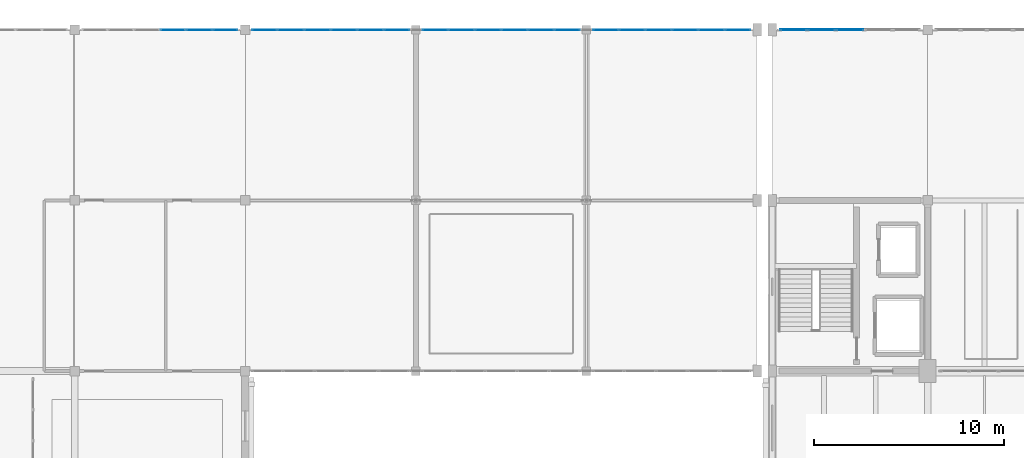
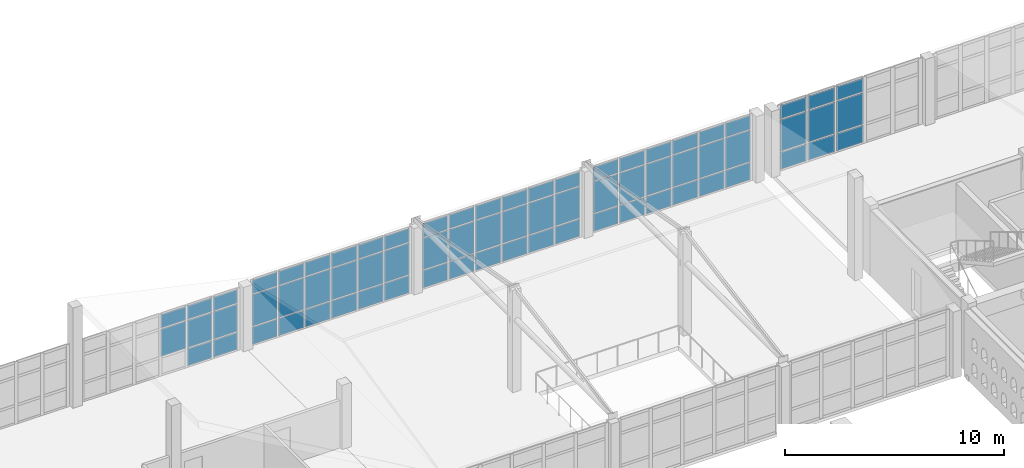
# One storey, part 114 of 156: 71 plates, 5 elements without a shape of their own.
"""IFC4 building model written with IfcOpenShell, lengths in metres."""

from ifc_helpers import new_model, si_unit, direction, frame, origin, origin_2d, place, context, subcontext, project, spatial, rectangle, extrude, material, layer, layer_set, type_object, element, aggregate, save


model = new_model("IFC4")

# Units and contexts
model_context = context("Model", 3, precision=1e-05, world=origin(), true_north=direction((0.0, 1.0)))
body_context = subcontext(model_context, "Body", "Model", "MODEL_VIEW")
ifc_project = project(units=[si_unit("LENGTHUNIT", "METRE"), si_unit("AREAUNIT", "SQUARE_METRE"), si_unit("VOLUMEUNIT", "CUBIC_METRE"), si_unit("PLANEANGLEUNIT", "RADIAN"), si_unit("MASSUNIT", "GRAM", prefix="KILO")], contexts=[model_context])

# Site, building, storey
site_placement = place(None, origin())
site = spatial("IfcSite", under=ifc_project, at=site_placement, CompositionType="ELEMENT")
building_placement = place(site_placement, origin())
building = spatial("IfcBuilding", under=site, at=building_placement, Name="Ornek Quay Market", CompositionType="ELEMENT")
storey_placement = place(building_placement, frame((0.0, 0.0, 4.5)))
storey = spatial("IfcBuildingStorey", under=building, at=storey_placement, Name="L01", CompositionType="ELEMENT", Elevation=4.5)

# Curtain wall, plates
ifc_material_1 = material(Name="Anodised bronze aluminium and triple low-e glass", Category="aluminium")
ifc_layer_1 = layer(ifc_material_1, 0.179931640625, Name="Anodised bronze aluminium and triple low-e glass", Category="aluminium")
ifc_layer_set_1 = layer_set([ifc_layer_1], Name="Anodised bronze aluminium and triple low-e glass")
curtain_wall_type_1 = type_object("IfcCurtainWallType", Name="CW-CONC-MOD1500", PredefinedType="USERDEFINED", material=ifc_layer_set_1)
curtain_wall_1_placement = place(storey_placement, origin())
curtain_wall_1 = element("IfcCurtainWall", 1, at=curtain_wall_1_placement, inside=storey, type_object=curtain_wall_type_1, Name="Curtain wall CW-004", ObjectType="CURTAIN WALL", PredefinedType="USERDEFINED")
ifc_material_2 = material(Name="Triple insulated low-e glass", Category="glass")
ifc_layer_2 = layer(ifc_material_2, 0.035888671875, Name="Triple insulated low-e glass", Category="glass")
ifc_layer_set_2 = layer_set([ifc_layer_2], Name="Triple insulated low-e glass")
plate_type_1 = type_object("IfcPlateType", Name="PL-CW-TRIPLE-36", PredefinedType="CURTAIN_PANEL", material=ifc_layer_set_2)
plate_1_placement = place(storey_placement, frame((23.191650390625, 110.0, 1.08251953125), z_axis=(0.0, 0.0, 1.0), x_axis=(1.0, 0.0, 0.0)))
plate_1 = element("IfcPlate", 2, at=plate_1_placement, type_object=plate_type_1, Name="CW-004 panel 4.2", PredefinedType="CURTAIN_PANEL", context=body_context, shape_type="SweptSolid", body=[
    extrude(rectangle(XDim=1.318359375, YDim=0.035888671875, at=origin_2d()), origin(), (0.0, 0.0, 1.0), 1.514892578125),
])
plate_2_placement = place(storey_placement, frame((23.191650390625, 110.0, 2.66259765625), z_axis=(0.0, 0.0, 1.0), x_axis=(1.0, 0.0, 0.0)))
plate_2 = element("IfcPlate", 3, at=plate_2_placement, type_object=plate_type_1, Name="CW-004 panel 4.3", PredefinedType="CURTAIN_PANEL", context=body_context, shape_type="SweptSolid", body=[
    extrude(rectangle(XDim=1.318359375, YDim=0.035888671875, at=origin_2d()), origin(), (0.0, 0.0, 1.0), 0.75244140625),
])
plate_3_placement = place(storey_placement, frame((24.574951171875, 110.0, 0.06494140625), z_axis=(0.0, 0.0, 1.0), x_axis=(1.0, 0.0, 0.0)))
plate_3 = element("IfcPlate", 4, at=plate_3_placement, type_object=plate_type_1, Name="CW-004 panel 5.1", PredefinedType="CURTAIN_PANEL", context=body_context, shape_type="SweptSolid", body=[
    extrude(rectangle(XDim=1.318359375, YDim=0.035888671875, at=origin_2d()), origin(), (0.0, 0.0, 1.0), 0.952392578125),
])
plate_4_placement = place(storey_placement, frame((24.574951171875, 110.0, 1.08251953125), z_axis=(0.0, 0.0, 1.0), x_axis=(1.0, 0.0, 0.0)))
plate_4 = element("IfcPlate", 5, at=plate_4_placement, type_object=plate_type_1, Name="CW-004 panel 5.2", PredefinedType="CURTAIN_PANEL", context=body_context, shape_type="SweptSolid", body=[
    extrude(rectangle(XDim=1.318359375, YDim=0.035888671875, at=origin_2d()), origin(), (0.0, 0.0, 1.0), 1.514892578125),
])
plate_5_placement = place(storey_placement, frame((24.574951171875, 110.0, 2.66259765625), z_axis=(0.0, 0.0, 1.0), x_axis=(1.0, 0.0, 0.0)))
plate_5 = element("IfcPlate", 6, at=plate_5_placement, type_object=plate_type_1, Name="CW-004 panel 5.3", PredefinedType="CURTAIN_PANEL", context=body_context, shape_type="SweptSolid", body=[
    extrude(rectangle(XDim=1.318359375, YDim=0.035888671875, at=origin_2d()), origin(), (0.0, 0.0, 1.0), 0.75244140625),
])
plate_6_placement = place(storey_placement, frame((25.942138671875, 110.0, 0.06494140625), z_axis=(0.0, 0.0, 1.0), x_axis=(1.0, 0.0, 0.0)))
plate_6 = element("IfcPlate", 7, at=plate_6_placement, type_object=plate_type_1, Name="CW-004 panel 6.1", PredefinedType="CURTAIN_PANEL", context=body_context, shape_type="SweptSolid", body=[
    extrude(rectangle(XDim=1.285888671875, YDim=0.035888671875, at=origin_2d()), origin(), (0.0, 0.0, 1.0), 0.952392578125),
])
plate_7_placement = place(storey_placement, frame((25.942138671875, 110.0, 1.08251953125), z_axis=(0.0, 0.0, 1.0), x_axis=(1.0, 0.0, 0.0)))
plate_7 = element("IfcPlate", 8, at=plate_7_placement, type_object=plate_type_1, Name="CW-004 panel 6.2", PredefinedType="CURTAIN_PANEL", context=body_context, shape_type="SweptSolid", body=[
    extrude(rectangle(XDim=1.285888671875, YDim=0.035888671875, at=origin_2d()), origin(), (0.0, 0.0, 1.0), 1.514892578125),
])
plate_8_placement = place(storey_placement, frame((25.942138671875, 110.0, 2.66259765625), z_axis=(0.0, 0.0, 1.0), x_axis=(1.0, 0.0, 0.0)))
plate_8 = element("IfcPlate", 9, at=plate_8_placement, type_object=plate_type_1, Name="CW-004 panel 6.3", PredefinedType="CURTAIN_PANEL", context=body_context, shape_type="SweptSolid", body=[
    extrude(rectangle(XDim=1.285888671875, YDim=0.035888671875, at=origin_2d()), origin(), (0.0, 0.0, 1.0), 0.75244140625),
])
aggregate(curtain_wall_1, [plate_1, plate_2, plate_3, plate_4, plate_5, plate_6, plate_7, plate_8])

curtain_wall_2_placement = place(storey_placement, origin())
curtain_wall_2 = element("IfcCurtainWall", 10, at=curtain_wall_2_placement, inside=storey, type_object=curtain_wall_type_1, Name="Curtain wall CW-013", ObjectType="CURTAIN WALL", PredefinedType="USERDEFINED")
plate_9_placement = place(storey_placement, frame((28.014892578125, 110.0, 0.06005859375), z_axis=(0.0, 0.0, 1.0), x_axis=(1.0, 0.0, 0.0)))
plate_9 = element("IfcPlate", 11, at=plate_9_placement, type_object=plate_type_1, Name="CW-013 panel 1.1", PredefinedType="CURTAIN_PANEL", context=body_context, shape_type="SweptSolid", body=[
    extrude(rectangle(XDim=1.31005859375, YDim=0.035888671875, at=origin_2d()), origin(), (0.0, 0.0, 1.0), 0.9599609375),
])
plate_10_placement = place(storey_placement, frame((28.014892578125, 110.0, 1.080078125), z_axis=(0.0, 0.0, 1.0), x_axis=(1.0, 0.0, 0.0)))
plate_10 = element("IfcPlate", 12, at=plate_10_placement, type_object=plate_type_1, Name="CW-013 panel 1.2", PredefinedType="CURTAIN_PANEL", context=body_context, shape_type="SweptSolid", body=[
    extrude(rectangle(XDim=1.31005859375, YDim=0.035888671875, at=origin_2d()), origin(), (0.0, 0.0, 1.0), 1.75),
])
plate_11_placement = place(storey_placement, frame((28.014892578125, 110.0, 2.89013671875), z_axis=(0.0, 0.0, 1.0), x_axis=(1.0, 0.0, 0.0)))
plate_11 = element("IfcPlate", 13, at=plate_11_placement, type_object=plate_type_1, Name="CW-013 panel 1.3", PredefinedType="CURTAIN_PANEL", context=body_context, shape_type="SweptSolid", body=[
    extrude(rectangle(XDim=1.31005859375, YDim=0.035888671875, at=origin_2d()), origin(), (0.0, 0.0, 1.0), 0.760009765625),
])
plate_12_placement = place(storey_placement, frame((29.39990234375, 110.0, 0.06005859375), z_axis=(0.0, 0.0, 1.0), x_axis=(1.0, 0.0, 0.0)))
plate_12 = element("IfcPlate", 14, at=plate_12_placement, type_object=plate_type_1, Name="CW-013 panel 2.1", PredefinedType="CURTAIN_PANEL", context=body_context, shape_type="SweptSolid", body=[
    extrude(rectangle(XDim=1.340087890625, YDim=0.035888671875, at=origin_2d()), origin(), (0.0, 0.0, 1.0), 0.9599609375),
])
plate_13_placement = place(storey_placement, frame((29.39990234375, 110.0, 1.080078125), z_axis=(0.0, 0.0, 1.0), x_axis=(1.0, 0.0, 0.0)))
plate_13 = element("IfcPlate", 15, at=plate_13_placement, type_object=plate_type_1, Name="CW-013 panel 2.2", PredefinedType="CURTAIN_PANEL", context=body_context, shape_type="SweptSolid", body=[
    extrude(rectangle(XDim=1.340087890625, YDim=0.035888671875, at=origin_2d()), origin(), (0.0, 0.0, 1.0), 1.75),
])
plate_14_placement = place(storey_placement, frame((29.39990234375, 110.0, 2.89013671875), z_axis=(0.0, 0.0, 1.0), x_axis=(1.0, 0.0, 0.0)))
plate_14 = element("IfcPlate", 16, at=plate_14_placement, type_object=plate_type_1, Name="CW-013 panel 2.3", PredefinedType="CURTAIN_PANEL", context=body_context, shape_type="SweptSolid", body=[
    extrude(rectangle(XDim=1.340087890625, YDim=0.035888671875, at=origin_2d()), origin(), (0.0, 0.0, 1.0), 0.760009765625),
])
plate_15_placement = place(storey_placement, frame((30.800048828125, 110.0, 0.06005859375), z_axis=(0.0, 0.0, 1.0), x_axis=(1.0, 0.0, 0.0)))
plate_15 = element("IfcPlate", 17, at=plate_15_placement, type_object=plate_type_1, Name="CW-013 panel 3.1", PredefinedType="CURTAIN_PANEL", context=body_context, shape_type="SweptSolid", body=[
    extrude(rectangle(XDim=1.340087890625, YDim=0.035888671875, at=origin_2d()), origin(), (0.0, 0.0, 1.0), 0.9599609375),
])
plate_16_placement = place(storey_placement, frame((30.800048828125, 110.0, 1.080078125), z_axis=(0.0, 0.0, 1.0), x_axis=(1.0, 0.0, 0.0)))
plate_16 = element("IfcPlate", 18, at=plate_16_placement, type_object=plate_type_1, Name="CW-013 panel 3.2", PredefinedType="CURTAIN_PANEL", context=body_context, shape_type="SweptSolid", body=[
    extrude(rectangle(XDim=1.340087890625, YDim=0.035888671875, at=origin_2d()), origin(), (0.0, 0.0, 1.0), 1.75),
])
plate_17_placement = place(storey_placement, frame((30.800048828125, 110.0, 2.89013671875), z_axis=(0.0, 0.0, 1.0), x_axis=(1.0, 0.0, 0.0)))
plate_17 = element("IfcPlate", 19, at=plate_17_placement, type_object=plate_type_1, Name="CW-013 panel 3.3", PredefinedType="CURTAIN_PANEL", context=body_context, shape_type="SweptSolid", body=[
    extrude(rectangle(XDim=1.340087890625, YDim=0.035888671875, at=origin_2d()), origin(), (0.0, 0.0, 1.0), 0.760009765625),
])
plate_18_placement = place(storey_placement, frame((32.199951171875, 110.0, 0.06005859375), z_axis=(0.0, 0.0, 1.0), x_axis=(1.0, 0.0, 0.0)))
plate_18 = element("IfcPlate", 20, at=plate_18_placement, type_object=plate_type_1, Name="CW-013 panel 4.1", PredefinedType="CURTAIN_PANEL", context=body_context, shape_type="SweptSolid", body=[
    extrude(rectangle(XDim=1.340087890625, YDim=0.035888671875, at=origin_2d()), origin(), (0.0, 0.0, 1.0), 0.9599609375),
])
plate_19_placement = place(storey_placement, frame((32.199951171875, 110.0, 1.080078125), z_axis=(0.0, 0.0, 1.0), x_axis=(1.0, 0.0, 0.0)))
plate_19 = element("IfcPlate", 21, at=plate_19_placement, type_object=plate_type_1, Name="CW-013 panel 4.2", PredefinedType="CURTAIN_PANEL", context=body_context, shape_type="SweptSolid", body=[
    extrude(rectangle(XDim=1.340087890625, YDim=0.035888671875, at=origin_2d()), origin(), (0.0, 0.0, 1.0), 1.75),
])
plate_20_placement = place(storey_placement, frame((32.199951171875, 110.0, 2.89013671875), z_axis=(0.0, 0.0, 1.0), x_axis=(1.0, 0.0, 0.0)))
plate_20 = element("IfcPlate", 22, at=plate_20_placement, type_object=plate_type_1, Name="CW-013 panel 4.3", PredefinedType="CURTAIN_PANEL", context=body_context, shape_type="SweptSolid", body=[
    extrude(rectangle(XDim=1.340087890625, YDim=0.035888671875, at=origin_2d()), origin(), (0.0, 0.0, 1.0), 0.760009765625),
])
plate_21_placement = place(storey_placement, frame((33.60009765625, 110.0, 0.06005859375), z_axis=(0.0, 0.0, 1.0), x_axis=(1.0, 0.0, 0.0)))
plate_21 = element("IfcPlate", 23, at=plate_21_placement, type_object=plate_type_1, Name="CW-013 panel 5.1", PredefinedType="CURTAIN_PANEL", context=body_context, shape_type="SweptSolid", body=[
    extrude(rectangle(XDim=1.340087890625, YDim=0.035888671875, at=origin_2d()), origin(), (0.0, 0.0, 1.0), 0.9599609375),
])
plate_22_placement = place(storey_placement, frame((33.60009765625, 110.0, 1.080078125), z_axis=(0.0, 0.0, 1.0), x_axis=(1.0, 0.0, 0.0)))
plate_22 = element("IfcPlate", 24, at=plate_22_placement, type_object=plate_type_1, Name="CW-013 panel 5.2", PredefinedType="CURTAIN_PANEL", context=body_context, shape_type="SweptSolid", body=[
    extrude(rectangle(XDim=1.340087890625, YDim=0.035888671875, at=origin_2d()), origin(), (0.0, 0.0, 1.0), 1.75),
])
plate_23_placement = place(storey_placement, frame((33.60009765625, 110.0, 2.89013671875), z_axis=(0.0, 0.0, 1.0), x_axis=(1.0, 0.0, 0.0)))
plate_23 = element("IfcPlate", 25, at=plate_23_placement, type_object=plate_type_1, Name="CW-013 panel 5.3", PredefinedType="CURTAIN_PANEL", context=body_context, shape_type="SweptSolid", body=[
    extrude(rectangle(XDim=1.340087890625, YDim=0.035888671875, at=origin_2d()), origin(), (0.0, 0.0, 1.0), 0.760009765625),
])
plate_24_placement = place(storey_placement, frame((34.985107421875, 110.0, 0.06005859375), z_axis=(0.0, 0.0, 1.0), x_axis=(1.0, 0.0, 0.0)))
plate_24 = element("IfcPlate", 26, at=plate_24_placement, type_object=plate_type_1, Name="CW-013 panel 6.1", PredefinedType="CURTAIN_PANEL", context=body_context, shape_type="SweptSolid", body=[
    extrude(rectangle(XDim=1.31005859375, YDim=0.035888671875, at=origin_2d()), origin(), (0.0, 0.0, 1.0), 0.9599609375),
])
plate_25_placement = place(storey_placement, frame((34.985107421875, 110.0, 1.080078125), z_axis=(0.0, 0.0, 1.0), x_axis=(1.0, 0.0, 0.0)))
plate_25 = element("IfcPlate", 27, at=plate_25_placement, type_object=plate_type_1, Name="CW-013 panel 6.2", PredefinedType="CURTAIN_PANEL", context=body_context, shape_type="SweptSolid", body=[
    extrude(rectangle(XDim=1.31005859375, YDim=0.035888671875, at=origin_2d()), origin(), (0.0, 0.0, 1.0), 1.75),
])
plate_26_placement = place(storey_placement, frame((34.985107421875, 110.0, 2.89013671875), z_axis=(0.0, 0.0, 1.0), x_axis=(1.0, 0.0, 0.0)))
plate_26 = element("IfcPlate", 28, at=plate_26_placement, type_object=plate_type_1, Name="CW-013 panel 6.3", PredefinedType="CURTAIN_PANEL", context=body_context, shape_type="SweptSolid", body=[
    extrude(rectangle(XDim=1.31005859375, YDim=0.035888671875, at=origin_2d()), origin(), (0.0, 0.0, 1.0), 0.760009765625),
])
aggregate(curtain_wall_2, [plate_9, plate_10, plate_11, plate_12, plate_13, plate_14, plate_15, plate_16, plate_17, plate_18, plate_19, plate_20, plate_21, plate_22, plate_23, plate_24, plate_25, plate_26])

curtain_wall_3_placement = place(storey_placement, origin())
curtain_wall_3 = element("IfcCurtainWall", 29, at=curtain_wall_3_placement, inside=storey, type_object=curtain_wall_type_1, Name="Curtain wall CW-017", ObjectType="CURTAIN WALL", PredefinedType="USERDEFINED")
plate_27_placement = place(storey_placement, frame((37.014892578125, 110.0, 0.06005859375), z_axis=(0.0, 0.0, 1.0), x_axis=(1.0, 0.0, 0.0)))
plate_27 = element("IfcPlate", 30, at=plate_27_placement, type_object=plate_type_1, Name="CW-017 panel 1.1", PredefinedType="CURTAIN_PANEL", context=body_context, shape_type="SweptSolid", body=[
    extrude(rectangle(XDim=1.31005859375, YDim=0.035888671875, at=origin_2d()), origin(), (0.0, 0.0, 1.0), 0.9599609375),
])
plate_28_placement = place(storey_placement, frame((37.014892578125, 110.0, 1.080078125), z_axis=(0.0, 0.0, 1.0), x_axis=(1.0, 0.0, 0.0)))
plate_28 = element("IfcPlate", 31, at=plate_28_placement, type_object=plate_type_1, Name="CW-017 panel 1.2", PredefinedType="CURTAIN_PANEL", context=body_context, shape_type="SweptSolid", body=[
    extrude(rectangle(XDim=1.31005859375, YDim=0.035888671875, at=origin_2d()), origin(), (0.0, 0.0, 1.0), 1.75),
])
plate_29_placement = place(storey_placement, frame((37.014892578125, 110.0, 2.89013671875), z_axis=(0.0, 0.0, 1.0), x_axis=(1.0, 0.0, 0.0)))
plate_29 = element("IfcPlate", 32, at=plate_29_placement, type_object=plate_type_1, Name="CW-017 panel 1.3", PredefinedType="CURTAIN_PANEL", context=body_context, shape_type="SweptSolid", body=[
    extrude(rectangle(XDim=1.31005859375, YDim=0.035888671875, at=origin_2d()), origin(), (0.0, 0.0, 1.0), 0.760009765625),
])
plate_30_placement = place(storey_placement, frame((38.39990234375, 110.0, 0.06005859375), z_axis=(0.0, 0.0, 1.0), x_axis=(1.0, 0.0, 0.0)))
plate_30 = element("IfcPlate", 33, at=plate_30_placement, type_object=plate_type_1, Name="CW-017 panel 2.1", PredefinedType="CURTAIN_PANEL", context=body_context, shape_type="SweptSolid", body=[
    extrude(rectangle(XDim=1.340087890625, YDim=0.035888671875, at=origin_2d()), origin(), (0.0, 0.0, 1.0), 0.9599609375),
])
plate_31_placement = place(storey_placement, frame((38.39990234375, 110.0, 1.080078125), z_axis=(0.0, 0.0, 1.0), x_axis=(1.0, 0.0, 0.0)))
plate_31 = element("IfcPlate", 34, at=plate_31_placement, type_object=plate_type_1, Name="CW-017 panel 2.2", PredefinedType="CURTAIN_PANEL", context=body_context, shape_type="SweptSolid", body=[
    extrude(rectangle(XDim=1.340087890625, YDim=0.035888671875, at=origin_2d()), origin(), (0.0, 0.0, 1.0), 1.75),
])
plate_32_placement = place(storey_placement, frame((38.39990234375, 110.0, 2.89013671875), z_axis=(0.0, 0.0, 1.0), x_axis=(1.0, 0.0, 0.0)))
plate_32 = element("IfcPlate", 35, at=plate_32_placement, type_object=plate_type_1, Name="CW-017 panel 2.3", PredefinedType="CURTAIN_PANEL", context=body_context, shape_type="SweptSolid", body=[
    extrude(rectangle(XDim=1.340087890625, YDim=0.035888671875, at=origin_2d()), origin(), (0.0, 0.0, 1.0), 0.760009765625),
])
plate_33_placement = place(storey_placement, frame((39.800048828125, 110.0, 0.06005859375), z_axis=(0.0, 0.0, 1.0), x_axis=(1.0, 0.0, 0.0)))
plate_33 = element("IfcPlate", 36, at=plate_33_placement, type_object=plate_type_1, Name="CW-017 panel 3.1", PredefinedType="CURTAIN_PANEL", context=body_context, shape_type="SweptSolid", body=[
    extrude(rectangle(XDim=1.340087890625, YDim=0.035888671875, at=origin_2d()), origin(), (0.0, 0.0, 1.0), 0.9599609375),
])
plate_34_placement = place(storey_placement, frame((39.800048828125, 110.0, 1.080078125), z_axis=(0.0, 0.0, 1.0), x_axis=(1.0, 0.0, 0.0)))
plate_34 = element("IfcPlate", 37, at=plate_34_placement, type_object=plate_type_1, Name="CW-017 panel 3.2", PredefinedType="CURTAIN_PANEL", context=body_context, shape_type="SweptSolid", body=[
    extrude(rectangle(XDim=1.340087890625, YDim=0.035888671875, at=origin_2d()), origin(), (0.0, 0.0, 1.0), 1.75),
])
plate_35_placement = place(storey_placement, frame((39.800048828125, 110.0, 2.89013671875), z_axis=(0.0, 0.0, 1.0), x_axis=(1.0, 0.0, 0.0)))
plate_35 = element("IfcPlate", 38, at=plate_35_placement, type_object=plate_type_1, Name="CW-017 panel 3.3", PredefinedType="CURTAIN_PANEL", context=body_context, shape_type="SweptSolid", body=[
    extrude(rectangle(XDim=1.340087890625, YDim=0.035888671875, at=origin_2d()), origin(), (0.0, 0.0, 1.0), 0.760009765625),
])
plate_36_placement = place(storey_placement, frame((41.199951171875, 110.0, 0.06005859375), z_axis=(0.0, 0.0, 1.0), x_axis=(1.0, 0.0, 0.0)))
plate_36 = element("IfcPlate", 39, at=plate_36_placement, type_object=plate_type_1, Name="CW-017 panel 4.1", PredefinedType="CURTAIN_PANEL", context=body_context, shape_type="SweptSolid", body=[
    extrude(rectangle(XDim=1.340087890625, YDim=0.035888671875, at=origin_2d()), origin(), (0.0, 0.0, 1.0), 0.9599609375),
])
plate_37_placement = place(storey_placement, frame((41.199951171875, 110.0, 1.080078125), z_axis=(0.0, 0.0, 1.0), x_axis=(1.0, 0.0, 0.0)))
plate_37 = element("IfcPlate", 40, at=plate_37_placement, type_object=plate_type_1, Name="CW-017 panel 4.2", PredefinedType="CURTAIN_PANEL", context=body_context, shape_type="SweptSolid", body=[
    extrude(rectangle(XDim=1.340087890625, YDim=0.035888671875, at=origin_2d()), origin(), (0.0, 0.0, 1.0), 1.75),
])
plate_38_placement = place(storey_placement, frame((41.199951171875, 110.0, 2.89013671875), z_axis=(0.0, 0.0, 1.0), x_axis=(1.0, 0.0, 0.0)))
plate_38 = element("IfcPlate", 41, at=plate_38_placement, type_object=plate_type_1, Name="CW-017 panel 4.3", PredefinedType="CURTAIN_PANEL", context=body_context, shape_type="SweptSolid", body=[
    extrude(rectangle(XDim=1.340087890625, YDim=0.035888671875, at=origin_2d()), origin(), (0.0, 0.0, 1.0), 0.760009765625),
])
plate_39_placement = place(storey_placement, frame((42.60009765625, 110.0, 0.06005859375), z_axis=(0.0, 0.0, 1.0), x_axis=(1.0, 0.0, 0.0)))
plate_39 = element("IfcPlate", 42, at=plate_39_placement, type_object=plate_type_1, Name="CW-017 panel 5.1", PredefinedType="CURTAIN_PANEL", context=body_context, shape_type="SweptSolid", body=[
    extrude(rectangle(XDim=1.340087890625, YDim=0.035888671875, at=origin_2d()), origin(), (0.0, 0.0, 1.0), 0.9599609375),
])
plate_40_placement = place(storey_placement, frame((42.60009765625, 110.0, 1.080078125), z_axis=(0.0, 0.0, 1.0), x_axis=(1.0, 0.0, 0.0)))
plate_40 = element("IfcPlate", 43, at=plate_40_placement, type_object=plate_type_1, Name="CW-017 panel 5.2", PredefinedType="CURTAIN_PANEL", context=body_context, shape_type="SweptSolid", body=[
    extrude(rectangle(XDim=1.340087890625, YDim=0.035888671875, at=origin_2d()), origin(), (0.0, 0.0, 1.0), 1.75),
])
plate_41_placement = place(storey_placement, frame((42.60009765625, 110.0, 2.89013671875), z_axis=(0.0, 0.0, 1.0), x_axis=(1.0, 0.0, 0.0)))
plate_41 = element("IfcPlate", 44, at=plate_41_placement, type_object=plate_type_1, Name="CW-017 panel 5.3", PredefinedType="CURTAIN_PANEL", context=body_context, shape_type="SweptSolid", body=[
    extrude(rectangle(XDim=1.340087890625, YDim=0.035888671875, at=origin_2d()), origin(), (0.0, 0.0, 1.0), 0.760009765625),
])
plate_42_placement = place(storey_placement, frame((43.985107421875, 110.0, 0.06005859375), z_axis=(0.0, 0.0, 1.0), x_axis=(1.0, 0.0, 0.0)))
plate_42 = element("IfcPlate", 45, at=plate_42_placement, type_object=plate_type_1, Name="CW-017 panel 6.1", PredefinedType="CURTAIN_PANEL", context=body_context, shape_type="SweptSolid", body=[
    extrude(rectangle(XDim=1.31005859375, YDim=0.035888671875, at=origin_2d()), origin(), (0.0, 0.0, 1.0), 0.9599609375),
])
plate_43_placement = place(storey_placement, frame((43.985107421875, 110.0, 1.080078125), z_axis=(0.0, 0.0, 1.0), x_axis=(1.0, 0.0, 0.0)))
plate_43 = element("IfcPlate", 46, at=plate_43_placement, type_object=plate_type_1, Name="CW-017 panel 6.2", PredefinedType="CURTAIN_PANEL", context=body_context, shape_type="SweptSolid", body=[
    extrude(rectangle(XDim=1.31005859375, YDim=0.035888671875, at=origin_2d()), origin(), (0.0, 0.0, 1.0), 1.75),
])
plate_44_placement = place(storey_placement, frame((43.985107421875, 110.0, 2.89013671875), z_axis=(0.0, 0.0, 1.0), x_axis=(1.0, 0.0, 0.0)))
plate_44 = element("IfcPlate", 47, at=plate_44_placement, type_object=plate_type_1, Name="CW-017 panel 6.3", PredefinedType="CURTAIN_PANEL", context=body_context, shape_type="SweptSolid", body=[
    extrude(rectangle(XDim=1.31005859375, YDim=0.035888671875, at=origin_2d()), origin(), (0.0, 0.0, 1.0), 0.760009765625),
])
aggregate(curtain_wall_3, [plate_27, plate_28, plate_29, plate_30, plate_31, plate_32, plate_33, plate_34, plate_35, plate_36, plate_37, plate_38, plate_39, plate_40, plate_41, plate_42, plate_43, plate_44])

curtain_wall_4_placement = place(storey_placement, origin())
curtain_wall_4 = element("IfcCurtainWall", 48, at=curtain_wall_4_placement, inside=storey, type_object=curtain_wall_type_1, Name="Curtain wall CW-021", ObjectType="CURTAIN WALL", PredefinedType="USERDEFINED")
plate_45_placement = place(storey_placement, frame((46.014892578125, 110.0, 0.06005859375), z_axis=(0.0, 0.0, 1.0), x_axis=(1.0, 0.0, 0.0)))
plate_45 = element("IfcPlate", 49, at=plate_45_placement, type_object=plate_type_1, Name="CW-021 panel 1.1", PredefinedType="CURTAIN_PANEL", context=body_context, shape_type="SweptSolid", body=[
    extrude(rectangle(XDim=1.31005859375, YDim=0.035888671875, at=origin_2d()), origin(), (0.0, 0.0, 1.0), 0.9599609375),
])
plate_46_placement = place(storey_placement, frame((46.014892578125, 110.0, 1.080078125), z_axis=(0.0, 0.0, 1.0), x_axis=(1.0, 0.0, 0.0)))
plate_46 = element("IfcPlate", 50, at=plate_46_placement, type_object=plate_type_1, Name="CW-021 panel 1.2", PredefinedType="CURTAIN_PANEL", context=body_context, shape_type="SweptSolid", body=[
    extrude(rectangle(XDim=1.31005859375, YDim=0.035888671875, at=origin_2d()), origin(), (0.0, 0.0, 1.0), 1.75),
])
plate_47_placement = place(storey_placement, frame((46.014892578125, 110.0, 2.89013671875), z_axis=(0.0, 0.0, 1.0), x_axis=(1.0, 0.0, 0.0)))
plate_47 = element("IfcPlate", 51, at=plate_47_placement, type_object=plate_type_1, Name="CW-021 panel 1.3", PredefinedType="CURTAIN_PANEL", context=body_context, shape_type="SweptSolid", body=[
    extrude(rectangle(XDim=1.31005859375, YDim=0.035888671875, at=origin_2d()), origin(), (0.0, 0.0, 1.0), 0.760009765625),
])
plate_48_placement = place(storey_placement, frame((47.39990234375, 110.0, 0.06005859375), z_axis=(0.0, 0.0, 1.0), x_axis=(1.0, 0.0, 0.0)))
plate_48 = element("IfcPlate", 52, at=plate_48_placement, type_object=plate_type_1, Name="CW-021 panel 2.1", PredefinedType="CURTAIN_PANEL", context=body_context, shape_type="SweptSolid", body=[
    extrude(rectangle(XDim=1.340087890625, YDim=0.035888671875, at=origin_2d()), origin(), (0.0, 0.0, 1.0), 0.9599609375),
])
plate_49_placement = place(storey_placement, frame((47.39990234375, 110.0, 1.080078125), z_axis=(0.0, 0.0, 1.0), x_axis=(1.0, 0.0, 0.0)))
plate_49 = element("IfcPlate", 53, at=plate_49_placement, type_object=plate_type_1, Name="CW-021 panel 2.2", PredefinedType="CURTAIN_PANEL", context=body_context, shape_type="SweptSolid", body=[
    extrude(rectangle(XDim=1.340087890625, YDim=0.035888671875, at=origin_2d()), origin(), (0.0, 0.0, 1.0), 1.75),
])
plate_50_placement = place(storey_placement, frame((47.39990234375, 110.0, 2.89013671875), z_axis=(0.0, 0.0, 1.0), x_axis=(1.0, 0.0, 0.0)))
plate_50 = element("IfcPlate", 54, at=plate_50_placement, type_object=plate_type_1, Name="CW-021 panel 2.3", PredefinedType="CURTAIN_PANEL", context=body_context, shape_type="SweptSolid", body=[
    extrude(rectangle(XDim=1.340087890625, YDim=0.035888671875, at=origin_2d()), origin(), (0.0, 0.0, 1.0), 0.760009765625),
])
plate_51_placement = place(storey_placement, frame((48.800048828125, 110.0, 0.06005859375), z_axis=(0.0, 0.0, 1.0), x_axis=(1.0, 0.0, 0.0)))
plate_51 = element("IfcPlate", 55, at=plate_51_placement, type_object=plate_type_1, Name="CW-021 panel 3.1", PredefinedType="CURTAIN_PANEL", context=body_context, shape_type="SweptSolid", body=[
    extrude(rectangle(XDim=1.340087890625, YDim=0.035888671875, at=origin_2d()), origin(), (0.0, 0.0, 1.0), 0.9599609375),
])
plate_52_placement = place(storey_placement, frame((48.800048828125, 110.0, 1.080078125), z_axis=(0.0, 0.0, 1.0), x_axis=(1.0, 0.0, 0.0)))
plate_52 = element("IfcPlate", 56, at=plate_52_placement, type_object=plate_type_1, Name="CW-021 panel 3.2", PredefinedType="CURTAIN_PANEL", context=body_context, shape_type="SweptSolid", body=[
    extrude(rectangle(XDim=1.340087890625, YDim=0.035888671875, at=origin_2d()), origin(), (0.0, 0.0, 1.0), 1.75),
])
plate_53_placement = place(storey_placement, frame((48.800048828125, 110.0, 2.89013671875), z_axis=(0.0, 0.0, 1.0), x_axis=(1.0, 0.0, 0.0)))
plate_53 = element("IfcPlate", 57, at=plate_53_placement, type_object=plate_type_1, Name="CW-021 panel 3.3", PredefinedType="CURTAIN_PANEL", context=body_context, shape_type="SweptSolid", body=[
    extrude(rectangle(XDim=1.340087890625, YDim=0.035888671875, at=origin_2d()), origin(), (0.0, 0.0, 1.0), 0.760009765625),
])
plate_54_placement = place(storey_placement, frame((50.199951171875, 110.0, 0.06005859375), z_axis=(0.0, 0.0, 1.0), x_axis=(1.0, 0.0, 0.0)))
plate_54 = element("IfcPlate", 58, at=plate_54_placement, type_object=plate_type_1, Name="CW-021 panel 4.1", PredefinedType="CURTAIN_PANEL", context=body_context, shape_type="SweptSolid", body=[
    extrude(rectangle(XDim=1.340087890625, YDim=0.035888671875, at=origin_2d()), origin(), (0.0, 0.0, 1.0), 0.9599609375),
])
plate_55_placement = place(storey_placement, frame((50.199951171875, 110.0, 1.080078125), z_axis=(0.0, 0.0, 1.0), x_axis=(1.0, 0.0, 0.0)))
plate_55 = element("IfcPlate", 59, at=plate_55_placement, type_object=plate_type_1, Name="CW-021 panel 4.2", PredefinedType="CURTAIN_PANEL", context=body_context, shape_type="SweptSolid", body=[
    extrude(rectangle(XDim=1.340087890625, YDim=0.035888671875, at=origin_2d()), origin(), (0.0, 0.0, 1.0), 1.75),
])
plate_56_placement = place(storey_placement, frame((50.199951171875, 110.0, 2.89013671875), z_axis=(0.0, 0.0, 1.0), x_axis=(1.0, 0.0, 0.0)))
plate_56 = element("IfcPlate", 60, at=plate_56_placement, type_object=plate_type_1, Name="CW-021 panel 4.3", PredefinedType="CURTAIN_PANEL", context=body_context, shape_type="SweptSolid", body=[
    extrude(rectangle(XDim=1.340087890625, YDim=0.035888671875, at=origin_2d()), origin(), (0.0, 0.0, 1.0), 0.760009765625),
])
plate_57_placement = place(storey_placement, frame((51.60009765625, 110.0, 0.06005859375), z_axis=(0.0, 0.0, 1.0), x_axis=(1.0, 0.0, 0.0)))
plate_57 = element("IfcPlate", 61, at=plate_57_placement, type_object=plate_type_1, Name="CW-021 panel 5.1", PredefinedType="CURTAIN_PANEL", context=body_context, shape_type="SweptSolid", body=[
    extrude(rectangle(XDim=1.340087890625, YDim=0.035888671875, at=origin_2d()), origin(), (0.0, 0.0, 1.0), 0.9599609375),
])
plate_58_placement = place(storey_placement, frame((51.60009765625, 110.0, 1.080078125), z_axis=(0.0, 0.0, 1.0), x_axis=(1.0, 0.0, 0.0)))
plate_58 = element("IfcPlate", 62, at=plate_58_placement, type_object=plate_type_1, Name="CW-021 panel 5.2", PredefinedType="CURTAIN_PANEL", context=body_context, shape_type="SweptSolid", body=[
    extrude(rectangle(XDim=1.340087890625, YDim=0.035888671875, at=origin_2d()), origin(), (0.0, 0.0, 1.0), 1.75),
])
plate_59_placement = place(storey_placement, frame((51.60009765625, 110.0, 2.89013671875), z_axis=(0.0, 0.0, 1.0), x_axis=(1.0, 0.0, 0.0)))
plate_59 = element("IfcPlate", 63, at=plate_59_placement, type_object=plate_type_1, Name="CW-021 panel 5.3", PredefinedType="CURTAIN_PANEL", context=body_context, shape_type="SweptSolid", body=[
    extrude(rectangle(XDim=1.340087890625, YDim=0.035888671875, at=origin_2d()), origin(), (0.0, 0.0, 1.0), 0.760009765625),
])
plate_60_placement = place(storey_placement, frame((52.985107421875, 110.0, 0.06005859375), z_axis=(0.0, 0.0, 1.0), x_axis=(1.0, 0.0, 0.0)))
plate_60 = element("IfcPlate", 64, at=plate_60_placement, type_object=plate_type_1, Name="CW-021 panel 6.1", PredefinedType="CURTAIN_PANEL", context=body_context, shape_type="SweptSolid", body=[
    extrude(rectangle(XDim=1.31005859375, YDim=0.035888671875, at=origin_2d()), origin(), (0.0, 0.0, 1.0), 0.9599609375),
])
plate_61_placement = place(storey_placement, frame((52.985107421875, 110.0, 1.080078125), z_axis=(0.0, 0.0, 1.0), x_axis=(1.0, 0.0, 0.0)))
plate_61 = element("IfcPlate", 65, at=plate_61_placement, type_object=plate_type_1, Name="CW-021 panel 6.2", PredefinedType="CURTAIN_PANEL", context=body_context, shape_type="SweptSolid", body=[
    extrude(rectangle(XDim=1.31005859375, YDim=0.035888671875, at=origin_2d()), origin(), (0.0, 0.0, 1.0), 1.75),
])
plate_62_placement = place(storey_placement, frame((52.985107421875, 110.0, 2.89013671875), z_axis=(0.0, 0.0, 1.0), x_axis=(1.0, 0.0, 0.0)))
plate_62 = element("IfcPlate", 66, at=plate_62_placement, type_object=plate_type_1, Name="CW-021 panel 6.3", PredefinedType="CURTAIN_PANEL", context=body_context, shape_type="SweptSolid", body=[
    extrude(rectangle(XDim=1.31005859375, YDim=0.035888671875, at=origin_2d()), origin(), (0.0, 0.0, 1.0), 0.760009765625),
])
aggregate(curtain_wall_4, [plate_45, plate_46, plate_47, plate_48, plate_49, plate_50, plate_51, plate_52, plate_53, plate_54, plate_55, plate_56, plate_57, plate_58, plate_59, plate_60, plate_61, plate_62])

ifc_layer_3 = layer(ifc_material_1, 0.219970703125, Name="Anodised bronze aluminium and triple low-e glass", Category="aluminium")
ifc_layer_set_3 = layer_set([ifc_layer_3], Name="Anodised bronze aluminium and triple low-e glass")
curtain_wall_type_2 = type_object("IfcCurtainWallType", Name="CW-PORCH-MOD1500", PredefinedType="USERDEFINED", material=ifc_layer_set_3)
curtain_wall_5_placement = place(storey_placement, origin())
curtain_wall_5 = element("IfcCurtainWall", 67, at=curtain_wall_5_placement, inside=storey, type_object=curtain_wall_type_2, Name="Curtain wall CW-049", ObjectType="CURTAIN WALL", PredefinedType="USERDEFINED")
ifc_layer_4 = layer(ifc_material_2, 0.0419921875, Name="Triple insulated low-e glass", Category="glass")
ifc_layer_set_4 = layer_set([ifc_layer_4], Name="Triple insulated low-e glass")
plate_type_2 = type_object("IfcPlateType", Name="PL-CW-TRIPLE-42", PredefinedType="CURTAIN_PANEL", material=ifc_layer_set_4)
plate_63_placement = place(storey_placement, frame((55.918701171875, 110.0, 0.06982421875), z_axis=(0.0, 0.0, 1.0), x_axis=(1.0, 0.0, 0.0)))
plate_63 = element("IfcPlate", 68, at=plate_63_placement, type_object=plate_type_2, Name="CW-049 panel 1.1", PredefinedType="CURTAIN_PANEL", context=body_context, shape_type="SweptSolid", body=[
    extrude(rectangle(XDim=1.387451171875, YDim=0.0419921875, at=origin_2d()), origin(), (0.0, 0.0, 1.0), 0.945068359375),
])
plate_64_placement = place(storey_placement, frame((55.918701171875, 110.0, 1.0849609375), z_axis=(0.0, 0.0, 1.0), x_axis=(1.0, 0.0, 0.0)))
plate_64 = element("IfcPlate", 69, at=plate_64_placement, type_object=plate_type_2, Name="CW-049 panel 1.2", PredefinedType="CURTAIN_PANEL", context=body_context, shape_type="SweptSolid", body=[
    extrude(rectangle(XDim=1.387451171875, YDim=0.0419921875, at=origin_2d()), origin(), (0.0, 0.0, 1.0), 1.739990234375),
])
plate_65_placement = place(storey_placement, frame((55.918701171875, 110.0, 2.89501953125), z_axis=(0.0, 0.0, 1.0), x_axis=(1.0, 0.0, 0.0)))
plate_65 = element("IfcPlate", 70, at=plate_65_placement, type_object=plate_type_2, Name="CW-049 panel 1.3", PredefinedType="CURTAIN_PANEL", context=body_context, shape_type="SweptSolid", body=[
    extrude(rectangle(XDim=1.387451171875, YDim=0.0419921875, at=origin_2d()), origin(), (0.0, 0.0, 1.0), 0.7451171875),
])
plate_66_placement = place(storey_placement, frame((57.39990234375, 110.0, 0.06982421875), z_axis=(0.0, 0.0, 1.0), x_axis=(1.0, 0.0, 0.0)))
plate_66 = element("IfcPlate", 71, at=plate_66_placement, type_object=plate_type_2, Name="CW-049 panel 2.1", PredefinedType="CURTAIN_PANEL", context=body_context, shape_type="SweptSolid", body=[
    extrude(rectangle(XDim=1.425048828125, YDim=0.0419921875, at=origin_2d()), origin(), (0.0, 0.0, 1.0), 0.945068359375),
])
plate_67_placement = place(storey_placement, frame((57.39990234375, 110.0, 1.0849609375), z_axis=(0.0, 0.0, 1.0), x_axis=(1.0, 0.0, 0.0)))
plate_67 = element("IfcPlate", 72, at=plate_67_placement, type_object=plate_type_2, Name="CW-049 panel 2.2", PredefinedType="CURTAIN_PANEL", context=body_context, shape_type="SweptSolid", body=[
    extrude(rectangle(XDim=1.425048828125, YDim=0.0419921875, at=origin_2d()), origin(), (0.0, 0.0, 1.0), 1.739990234375),
])
plate_68_placement = place(storey_placement, frame((57.39990234375, 110.0, 2.89501953125), z_axis=(0.0, 0.0, 1.0), x_axis=(1.0, 0.0, 0.0)))
plate_68 = element("IfcPlate", 73, at=plate_68_placement, type_object=plate_type_2, Name="CW-049 panel 2.3", PredefinedType="CURTAIN_PANEL", context=body_context, shape_type="SweptSolid", body=[
    extrude(rectangle(XDim=1.425048828125, YDim=0.0419921875, at=origin_2d()), origin(), (0.0, 0.0, 1.0), 0.7451171875),
])
plate_69_placement = place(storey_placement, frame((58.89990234375, 110.0, 0.06982421875), z_axis=(0.0, 0.0, 1.0), x_axis=(1.0, 0.0, 0.0)))
plate_69 = element("IfcPlate", 74, at=plate_69_placement, type_object=plate_type_2, Name="CW-049 panel 3.1", PredefinedType="CURTAIN_PANEL", context=body_context, shape_type="SweptSolid", body=[
    extrude(rectangle(XDim=1.425048828125, YDim=0.0419921875, at=origin_2d()), origin(), (0.0, 0.0, 1.0), 0.945068359375),
])
plate_70_placement = place(storey_placement, frame((58.89990234375, 110.0, 1.0849609375), z_axis=(0.0, 0.0, 1.0), x_axis=(1.0, 0.0, 0.0)))
plate_70 = element("IfcPlate", 75, at=plate_70_placement, type_object=plate_type_2, Name="CW-049 panel 3.2", PredefinedType="CURTAIN_PANEL", context=body_context, shape_type="SweptSolid", body=[
    extrude(rectangle(XDim=1.425048828125, YDim=0.0419921875, at=origin_2d()), origin(), (0.0, 0.0, 1.0), 1.739990234375),
])
plate_71_placement = place(storey_placement, frame((58.89990234375, 110.0, 2.89501953125), z_axis=(0.0, 0.0, 1.0), x_axis=(1.0, 0.0, 0.0)))
plate_71 = element("IfcPlate", 76, at=plate_71_placement, type_object=plate_type_2, Name="CW-049 panel 3.3", PredefinedType="CURTAIN_PANEL", context=body_context, shape_type="SweptSolid", body=[
    extrude(rectangle(XDim=1.425048828125, YDim=0.0419921875, at=origin_2d()), origin(), (0.0, 0.0, 1.0), 0.7451171875),
])
aggregate(curtain_wall_5, [plate_63, plate_64, plate_65, plate_66, plate_67, plate_68, plate_69, plate_70, plate_71])

save(model, "model.ifc")
